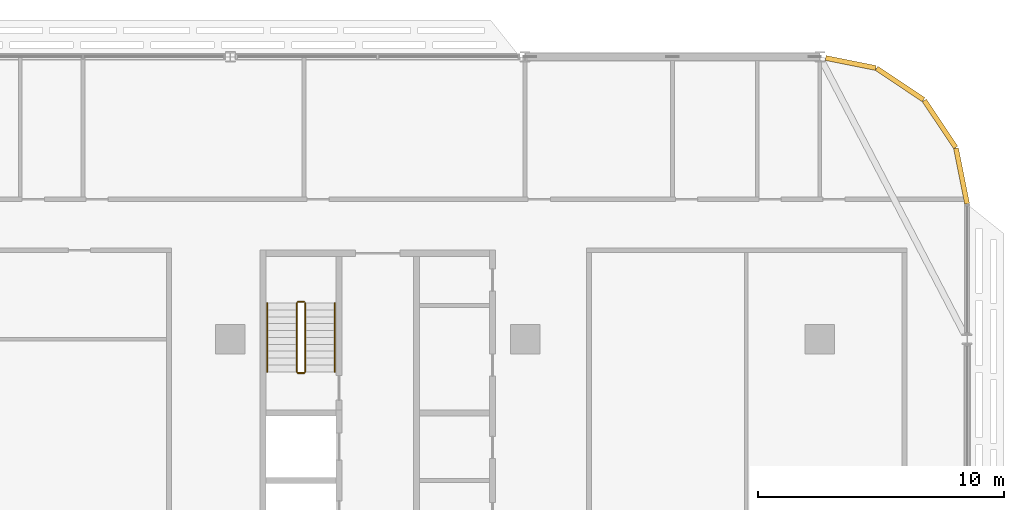
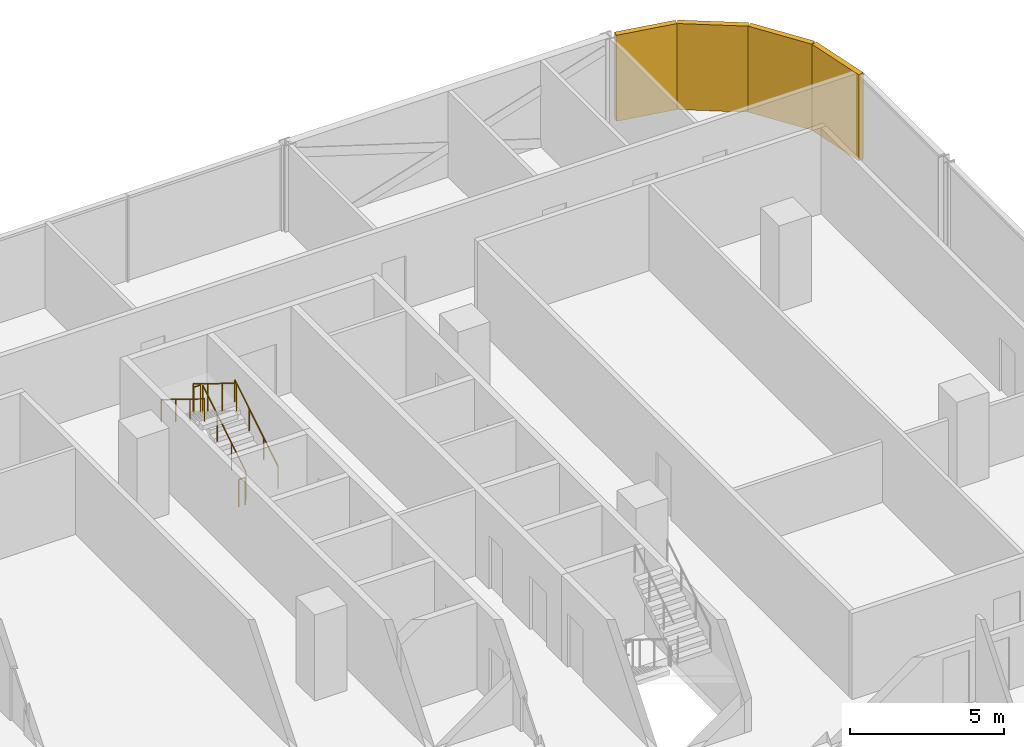
# One storey, part 28 of 28: 6 railings, 4 coverings.
"""IFC4 building model written with IfcOpenShell, lengths in metres."""

from ifc_helpers import new_model, si_unit, direction, frame, origin, origin_2d, place, context, subcontext, project, spatial, rectangle, circle, extrude, material, layer, layer_set, type_object, element, save


model = new_model("IFC4")

# Units and contexts
model_context = context("Model", 3, precision=1e-05, world=origin(), true_north=direction((0.0, 1.0)))
body_context = subcontext(model_context, "Body", "Model", "MODEL_VIEW")
ifc_project = project(units=[si_unit("LENGTHUNIT", "METRE"), si_unit("AREAUNIT", "SQUARE_METRE"), si_unit("VOLUMEUNIT", "CUBIC_METRE"), si_unit("PLANEANGLEUNIT", "RADIAN"), si_unit("MASSUNIT", "GRAM", prefix="KILO")], contexts=[model_context])

# Site, building, storey
site_placement = place(None, origin())
site = spatial("IfcSite", under=ifc_project, at=site_placement, CompositionType="ELEMENT")
building_placement = place(site_placement, origin())
building = spatial("IfcBuilding", under=site, at=building_placement, Name="Mahtab Terrace Research Tower", CompositionType="ELEMENT")
storey_placement = place(building_placement, frame((0.0, 0.0, 185.800048828125)))
storey = spatial("IfcBuildingStorey", under=building, at=storey_placement, Name="L44", CompositionType="ELEMENT", Elevation=185.800048828125)

# Coverings
ifc_material_1 = material(Name="Black aluminium cladding panel", Category="aluminium")
ifc_layer = layer(ifc_material_1, 0.199951171875)
ifc_layer_set = layer_set([ifc_layer], Name="Black metal corner cladding 200")
covering_type = type_object("IfcCoveringType", Name="Black metal corner cladding 200", PredefinedType="CLADDING", material=ifc_layer_set)
for number, where, z_axis, x_axis, name in (
    (1, (46.89306640625, 20.26953125, 0.0), (0.0, 0.0, 1.0), (-0.555291490808, 0.831655794326, 0.0), "Corner cladding L44 0"),
    (2, (45.26953125, 21.89306640625, 0.0), (0.0, 0.0, 1.0), (-0.831655794326, 0.555291490808, 0.0), "Corner cladding L44 1"),
):
    element("IfcCovering", number, at=place(storey_placement, frame(where, z_axis=z_axis, x_axis=x_axis)), inside=storey, type_object=covering_type, Name=name, PredefinedType="CLADDING", context=body_context, shape_type="SweptSolid", body=[
        extrude(rectangle(XDim=2.30126953125, YDim=0.199951171875, at=origin_2d()), origin(), (0.0, 0.0, 1.0), 3.39990234375),
    ])
covering_1_placement = place(storey_placement, frame((43.25830078125, 22.74951171875, 0.0), z_axis=(0.0, 0.0, 1.0), x_axis=(-0.980760981187, 0.195212442692, 0.0)))
element("IfcCovering", 3, at=covering_1_placement, inside=storey, type_object=covering_type, Name="Corner cladding L44 2", PredefinedType="CLADDING", context=body_context, shape_type="SweptSolid", body=[
    extrude(rectangle(XDim=2.07666015625, YDim=0.199951171875, at=origin_2d()), origin(), (0.0, 0.0, 1.0), 3.39990234375),
])
covering_2_placement = place(storey_placement, frame((47.771484375, 18.14794921875, 0.0), z_axis=(0.0, 0.0, 1.0), x_axis=(-0.195212442692, 0.980760981187, 0.0)))
element("IfcCovering", 4, at=covering_2_placement, inside=storey, type_object=covering_type, Name="Corner cladding L44 38", PredefinedType="CLADDING", context=body_context, shape_type="SweptSolid", body=[
    extrude(rectangle(XDim=2.30126953125, YDim=0.199951171875, at=origin_2d()), origin(), (0.0, 0.0, 1.0), 3.39990234375),
])

# Railings
ifc_material_2 = material(Name="Stainless steel AISI 304", Category="steel")
railing_type_1 = type_object("IfcRailingType", Name="Stair guard 1100", PredefinedType="GUARDRAIL", material=ifc_material_2)
railing_1_placement = place(storey_placement, frame((21.050048828125, 10.175048828125, 0.172607421875)))
element("IfcRailing", 5, at=railing_1_placement, inside=storey, type_object=railing_type_1, Name="L44 ST3 stair guard 1", PredefinedType="GUARDRAIL", context=body_context, shape_type="SweptSolid", body=[
    extrude(circle(Radius=0.02392578125, at=origin_2d()), frame((0.0, 0.0, 1.076171875), z_axis=(0.0, 0.851089632645, 0.525020415988), x_axis=(-1.0, 0.0, 0.0)), (0.0, 0.0, 1.0), 3.2900390625),
    extrude(circle(Radius=0.02099609375, at=origin_2d()), origin(), (0.0, 0.0, 1.0), 1.052001953125),
    extrude(circle(Radius=0.02099609375, at=origin_2d()), frame((0.0, 0.933349609375, 0.57568359375)), (0.0, 0.0, 1.0), 1.052001953125),
    extrude(circle(Radius=0.02099609375, at=origin_2d()), frame((0.0, 1.86669921875, 1.151611328125)), (0.0, 0.0, 1.0), 1.052001953125),
    extrude(circle(Radius=0.02099609375, at=origin_2d()), frame((0.0, 2.800048828125, 1.727294921875)), (0.0, 0.0, 1.0), 1.052001953125),
])
railing_2_placement = place(storey_placement, frame((21.0, 13.02490234375, 1.89990234375)))
element("IfcRailing", 6, at=railing_2_placement, inside=storey, type_object=railing_type_1, Name="L44 ST3 stair guard 2", PredefinedType="GUARDRAIL", context=body_context, shape_type="SweptSolid", body=[
    extrude(circle(Radius=0.02392578125, at=origin_2d()), frame((0.0, 0.0, 1.076171875), z_axis=(-1.0, 0.0, 0.0), x_axis=(0.0, -1.0, 0.0)), (0.0, 0.0, 1.0), 0.25),
    extrude(circle(Radius=0.02099609375, at=origin_2d()), origin(), (0.0, 0.0, 1.0), 1.052001953125),
    extrude(circle(Radius=0.02099609375, at=origin_2d()), frame((-0.25, 0.0, 0.0)), (0.0, 0.0, 1.0), 1.052001953125),
])
railing_3_placement = place(storey_placement, frame((20.699951171875, 12.97509765625, 2.07275390625)))
element("IfcRailing", 7, at=railing_3_placement, inside=storey, type_object=railing_type_1, Name="L44 ST3 stair guard 3", PredefinedType="GUARDRAIL", context=body_context, shape_type="SweptSolid", body=[
    extrude(circle(Radius=0.02392578125, at=origin_2d()), frame((0.0, 0.0, 1.076171875), z_axis=(0.0, -0.851089632645, 0.525020415988), x_axis=(1.0, 0.0, 0.0)), (0.0, 0.0, 1.0), 3.2900390625),
    extrude(circle(Radius=0.02099609375, at=origin_2d()), origin(), (0.0, 0.0, 1.0), 1.052001953125),
    extrude(circle(Radius=0.02099609375, at=origin_2d()), frame((0.0, -0.933349609375, 0.57568359375)), (0.0, 0.0, 1.0), 1.052001953125),
    extrude(circle(Radius=0.02099609375, at=origin_2d()), frame((0.0, -1.86669921875, 1.151611328125)), (0.0, 0.0, 1.0), 1.052001953125),
    extrude(circle(Radius=0.02099609375, at=origin_2d()), frame((0.0, -2.800048828125, 1.727294921875)), (0.0, 0.0, 1.0), 1.052001953125),
])
railing_4_placement = place(storey_placement, frame((21.0, 10.125, 0.0)))
element("IfcRailing", 8, at=railing_4_placement, inside=storey, type_object=railing_type_1, Name="L44 ST3 stair guard 4", PredefinedType="GUARDRAIL", context=body_context, shape_type="SweptSolid", body=[
    extrude(circle(Radius=0.02392578125, at=origin_2d()), frame((0.0, 0.0, 1.076171875), z_axis=(-1.0, 0.0, 0.0), x_axis=(0.0, -1.0, 0.0)), (0.0, 0.0, 1.0), 0.25),
    extrude(circle(Radius=0.02099609375, at=origin_2d()), origin(), (0.0, 0.0, 1.0), 1.052001953125),
    extrude(circle(Radius=0.02099609375, at=origin_2d()), frame((-0.25, 0.0, 0.0)), (0.0, 0.0, 1.0), 1.052001953125),
])
railing_type_2 = type_object("IfcRailingType", Name="Stair handrail 900", PredefinedType="HANDRAIL", material=ifc_material_2)
railing_5_placement = place(storey_placement, frame((22.25, 10.175048828125, 0.172607421875)))
element("IfcRailing", 9, at=railing_5_placement, inside=storey, type_object=railing_type_2, Name="L44 ST3 stair handrail 1", PredefinedType="HANDRAIL", context=body_context, shape_type="SweptSolid", body=[
    extrude(circle(Radius=0.02392578125, at=origin_2d()), frame((0.0, 0.0, 0.8759765625), z_axis=(0.0, 0.851089632645, 0.525020415988), x_axis=(-1.0, 0.0, 0.0)), (0.0, 0.0, 1.0), 3.2900390625),
    extrude(circle(Radius=0.02099609375, at=origin_2d()), origin(), (0.0, 0.0, 1.0), 0.851806640625),
    extrude(circle(Radius=0.02099609375, at=origin_2d()), frame((0.0, 0.933349609375, 0.57568359375)), (0.0, 0.0, 1.0), 0.851806640625),
    extrude(circle(Radius=0.02099609375, at=origin_2d()), frame((0.0, 1.86669921875, 1.151611328125)), (0.0, 0.0, 1.0), 0.851806640625),
    extrude(circle(Radius=0.02099609375, at=origin_2d()), frame((0.0, 2.800048828125, 1.727294921875)), (0.0, 0.0, 1.0), 0.851806640625),
])
railing_6_placement = place(storey_placement, frame((19.5, 12.97509765625, 2.07275390625)))
element("IfcRailing", 10, at=railing_6_placement, inside=storey, type_object=railing_type_2, Name="L44 ST3 stair handrail 2", PredefinedType="HANDRAIL", context=body_context, shape_type="SweptSolid", body=[
    extrude(circle(Radius=0.02392578125, at=origin_2d()), frame((0.0, 0.0, 0.8759765625), z_axis=(0.0, -0.851089632645, 0.525020415988), x_axis=(1.0, 0.0, 0.0)), (0.0, 0.0, 1.0), 3.2900390625),
    extrude(circle(Radius=0.02099609375, at=origin_2d()), origin(), (0.0, 0.0, 1.0), 0.851806640625),
    extrude(circle(Radius=0.02099609375, at=origin_2d()), frame((0.0, -0.933349609375, 0.57568359375)), (0.0, 0.0, 1.0), 0.851806640625),
    extrude(circle(Radius=0.02099609375, at=origin_2d()), frame((0.0, -1.86669921875, 1.151611328125)), (0.0, 0.0, 1.0), 0.851806640625),
    extrude(circle(Radius=0.02099609375, at=origin_2d()), frame((0.0, -2.800048828125, 1.727294921875)), (0.0, 0.0, 1.0), 0.851806640625),
])

save(model, "model.ifc")
